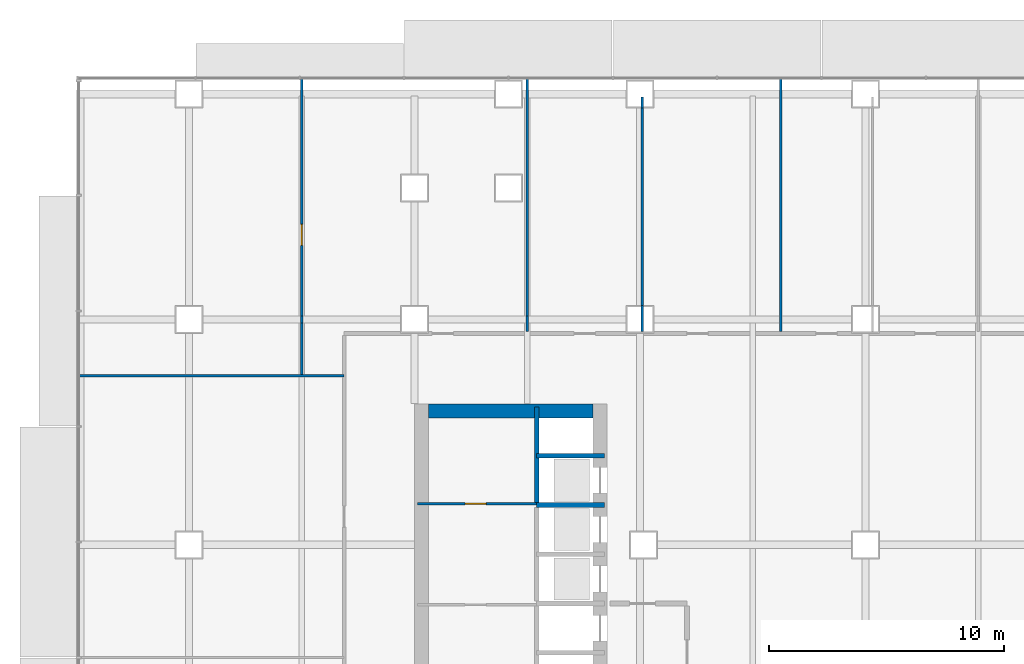
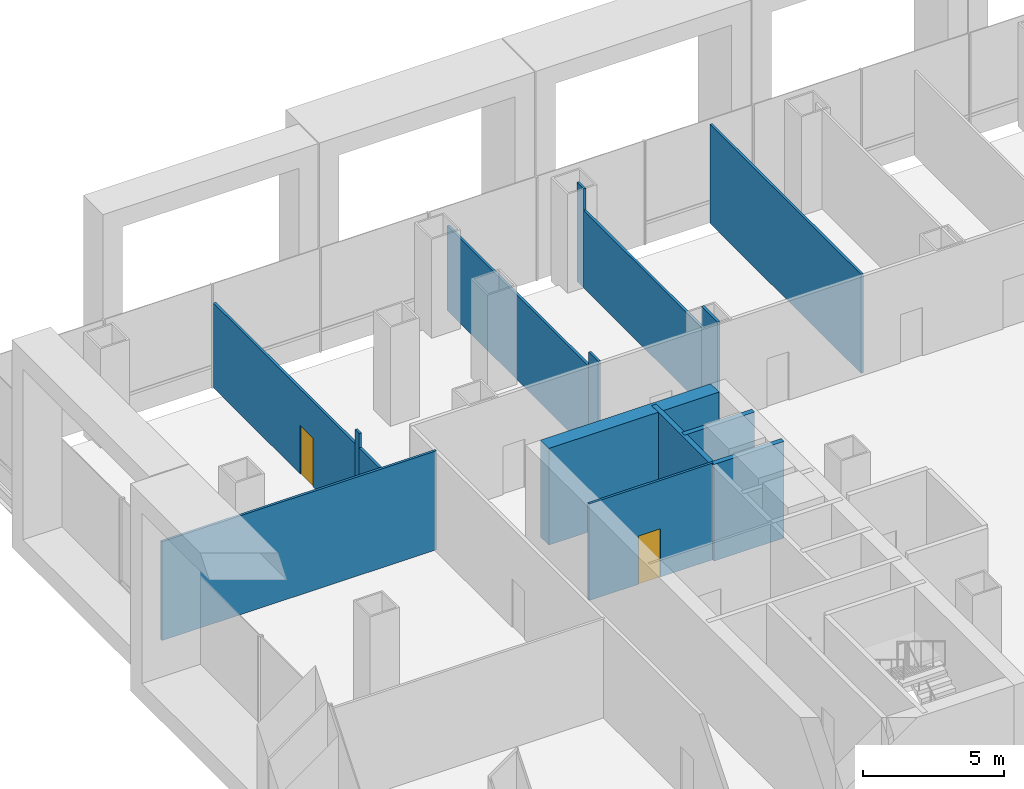
# One storey, part 16 of 23: 15 walls, 2 doors, 2 openings.
"""IFC4 building model written with IfcOpenShell, lengths in metres."""

import ifcopenshell
import ifcopenshell.guid

model = None  # the IFC model being written
_history = None  # IfcOwnerHistory: only IFC2X3 demands one
_inside = {}  # id of a spatial element -> (the spatial element, [elements in it])
_under = {}  # id of a project, library or spatial element -> (it, [spatial elements below it])
_declared = {}  # id of a project -> (the project, [libraries it declares])
_typed = {}  # id of a type object -> (the type object, [elements of that type])
_made_of = {}  # id of a material, layer set ... -> (it, [elements and type objects made of it])


def new_model(schema):
    """Start an empty IFC model of exactly this schema.

    Asked for "IFC4X3", IfcOpenShell would pick the latest addendum, in which some entities
    have other attributes; the version numbers below select the first issue.
    IFC2X3 requires an IfcOwnerHistory on every rooted entity: one is made here for all.
    """
    global model, _history
    if schema == "IFC4X3":
        model = ifcopenshell.file(schema_version=(4, 3, 0, 0))
    else:
        model = ifcopenshell.file(schema=schema)
    _inside.clear()
    _under.clear()
    _declared.clear()
    _typed.clear()
    _made_of.clear()
    _history = None
    if model.schema == "IFC2X3":
        org = make("IfcOrganization", Name="unknown")
        user = make(
            "IfcPersonAndOrganization",
            ThePerson=make("IfcPerson", FamilyName="unknown"),
            TheOrganization=org,
        )
        app = make(
            "IfcApplication",
            ApplicationDeveloper=org,
            Version="unknown",
            ApplicationFullName="unknown",
            ApplicationIdentifier="unknown",
        )
        _history = make(
            "IfcOwnerHistory",
            OwningUser=user,
            OwningApplication=app,
            ChangeAction="ADDED",
            CreationDate=0,
        )
    return model


def make(cls, **values):
    """One entity of the class cls with the attributes given. An attribute that is None is left unset."""
    return model.create_entity(
        cls, **{name: value for name, value in values.items() if value is not None}
    )


def rooted(cls, **values):
    """An entity with a GlobalId (a new one), such as an element, a storey or a relation."""
    return make(cls, GlobalId=ifcopenshell.guid.new(), OwnerHistory=_history, **values)


def si_unit(unit_type, name, prefix=None):
    """IfcSIUnit, for example si_unit("LENGTHUNIT", "METRE", prefix="MILLI")."""
    return make("IfcSIUnit", UnitType=unit_type, Prefix=prefix, Name=name)


def assignment(units):
    """IfcUnitAssignment: the units of a project."""
    return None if units is None else make("IfcUnitAssignment", Units=units)


def point(xyz):
    """IfcCartesianPoint."""
    return None if xyz is None else make("IfcCartesianPoint", Coordinates=xyz)


def direction(xyz):
    """IfcDirection."""
    return None if xyz is None else make("IfcDirection", DirectionRatios=xyz)


def frame(location, z_axis=None, x_axis=None):
    """IfcAxis2Placement3D, a coordinate frame: its origin and axes. An axis left out is left unset."""
    return make(
        "IfcAxis2Placement3D",
        Location=point(location),
        Axis=direction(z_axis),
        RefDirection=direction(x_axis),
    )


def frame_2d(location, x_axis=None):
    """IfcAxis2Placement2D, a coordinate frame in the plane: its origin and x axis."""
    return make(
        "IfcAxis2Placement2D", Location=point(location), RefDirection=direction(x_axis)
    )


def origin():
    """The frame at (0, 0, 0) with its axes left unset."""
    return frame((0.0, 0.0, 0.0))


def place(relative_to, where):
    """IfcLocalPlacement: puts the frame where relative to a parent placement (None: the world)."""
    return make(
        "IfcLocalPlacement", PlacementRelTo=relative_to, RelativePlacement=where
    )


def context(
    kind, dimensions, precision=None, world=None, true_north=None, identifier=None
):
    """IfcGeometricRepresentationContext, for example the 3D "Model" context."""
    return make(
        "IfcGeometricRepresentationContext",
        ContextIdentifier=identifier,
        ContextType=kind,
        CoordinateSpaceDimension=dimensions,
        Precision=precision,
        WorldCoordinateSystem=world,
        TrueNorth=true_north,
    )


def subcontext(parent, identifier, kind, view, scale=None):
    """IfcGeometricRepresentationSubContext, for example "Body" below "Model"."""
    return make(
        "IfcGeometricRepresentationSubContext",
        ContextIdentifier=identifier,
        ContextType=kind,
        ParentContext=parent,
        TargetScale=scale,
        TargetView=view,
    )


def project(units=None, contexts=None):
    """IfcProject with its units and contexts."""
    return rooted(
        "IfcProject",
        Name="project",
        RepresentationContexts=contexts,
        UnitsInContext=assignment(units),
    )


def spatial(cls, under=None, at=None, **own):
    """A site, building, storey or space (cls), placed at a placement, below another one or the project."""
    s = rooted(cls, ObjectPlacement=at, **own)
    if under is not None:
        _under.setdefault(under.id(), (under, []))[1].append(s)
    return s


def profile(cls, at=None, kind="AREA", **sizes):
    """A parametric profile (cls). Its sizes go by their IFC names, for example OverallWidth=200.0."""
    return make(cls, ProfileType=kind, Position=at, **sizes)


def rectangle(**sizes):
    """IfcRectangleProfileDef."""
    return profile("IfcRectangleProfileDef", **sizes)


def extrude(swept, where, along, depth):
    """IfcExtrudedAreaSolid: the profile swept, set in the frame where, extruded along a direction by depth."""
    return make(
        "IfcExtrudedAreaSolid",
        SweptArea=swept,
        Position=where,
        ExtrudedDirection=direction(along),
        Depth=depth,
    )


def shape(context_of_items, identifier, shape_type, items):
    """IfcShapeRepresentation: the items that make up one representation, for example the "Body"."""
    return make(
        "IfcShapeRepresentation",
        ContextOfItems=context_of_items,
        RepresentationIdentifier=identifier,
        RepresentationType=shape_type,
        Items=items,
    )


def material(Name=None, Category=None):
    """IfcMaterial."""
    return make("IfcMaterial", Name=Name, Category=Category)


def layer(
    of_material, thickness, ventilated=None, Name=None, Category=None, Priority=None
):
    """IfcMaterialLayer: one layer of a wall or slab, of a material (None: an air gap)."""
    return make(
        "IfcMaterialLayer",
        Material=of_material,
        LayerThickness=thickness,
        IsVentilated=ventilated,
        Name=Name,
        Category=Category,
        Priority=Priority,
    )


def layer_set(layers, Name=None):
    """IfcMaterialLayerSet."""
    return make("IfcMaterialLayerSet", MaterialLayers=layers, LayerSetName=Name)


def made_of(thing, what):
    """Note that an element or type object is made of a material, layer set ...; save() writes the relation."""
    if what is not None:
        _made_of.setdefault(what.id(), (what, []))[1].append(thing)
    return thing


def type_object(cls, material=None, **own):
    """A type object (cls), such as IfcWallType, which elements share."""
    return made_of(rooted(cls, **own), material)


def element(
    cls,
    number,
    at=None,
    inside=None,
    cuts=None,
    type_object=None,
    material=None,
    context=None,
    identifier="Body",
    shape_type=None,
    held_by="IfcProductDefinitionShape",
    body=None,
    shapes=None,
    **own,
):
    """One element of the class cls, such as IfcWall. Its Tag is "e" and its number.

    at: its placement. inside: the storey or other place that contains it. cuts: it is an
    opening in that element (IfcRelVoidsElement). A single representation is given by context,
    identifier, shape_type and body (its items); several are given by shapes. held_by: the class
    of the entity that holds the representations. save() writes the other relations.
    """
    e = rooted(cls, Tag="e%d" % number, ObjectPlacement=at, **own)
    if body is not None:
        shapes = [shape(context, identifier, shape_type, body)]
    if shapes is not None:
        e.Representation = make(held_by, Representations=shapes)
    if inside is not None:
        _inside.setdefault(inside.id(), (inside, []))[1].append(e)
    if cuts is not None:
        rooted(
            "IfcRelVoidsElement", RelatingBuildingElement=cuts, RelatedOpeningElement=e
        )
    if type_object is not None:
        _typed.setdefault(type_object.id(), (type_object, []))[1].append(e)
    return made_of(e, material)


def fill(opening, filler):
    """IfcRelFillsElement: the door or window that sits in an opening."""
    return rooted(
        "IfcRelFillsElement",
        RelatingOpeningElement=opening,
        RelatedBuildingElement=filler,
    )


def aggregate(whole, parts):
    """IfcRelAggregates: a whole, such as a stair, and the parts it consists of."""
    return rooted("IfcRelAggregates", RelatingObject=whole, RelatedObjects=parts)


def save(model, path):
    """Write the relations noted so far, then the file.

    IfcRelAggregates (storeys below a building ...), IfcRelContainedInSpatialStructure (elements
    in a storey), IfcRelDefinesByType, IfcRelAssociatesMaterial and IfcRelDeclares: one each for
    every whole, place, type object, material and project.
    """
    for whole, parts in _under.values():
        aggregate(whole, parts)
    for where, things in _inside.values():
        rooted(
            "IfcRelContainedInSpatialStructure",
            RelatedElements=things,
            RelatingStructure=where,
        )
    for kind, things in _typed.values():
        rooted("IfcRelDefinesByType", RelatedObjects=things, RelatingType=kind)
    for what, things in _made_of.values():
        rooted("IfcRelAssociatesMaterial", RelatedObjects=things, RelatingMaterial=what)
    for by, libraries in _declared.values():
        rooted("IfcRelDeclares", RelatingContext=by, RelatedDefinitions=libraries)
    model.write(path)


model = new_model("IFC4")

# Units and contexts
model_context = context("Model", 3, precision=1e-05, world=origin(), true_north=direction((0.0, 1.0)))
body_context = subcontext(model_context, "Body", "Model", "MODEL_VIEW")
ifc_project = project(units=[si_unit("LENGTHUNIT", "METRE"), si_unit("AREAUNIT", "SQUARE_METRE"), si_unit("VOLUMEUNIT", "CUBIC_METRE"), si_unit("PLANEANGLEUNIT", "RADIAN"), si_unit("MASSUNIT", "GRAM", prefix="KILO")], contexts=[model_context])

# Site, building, storey
site_placement = place(None, origin())
site = spatial("IfcSite", under=ifc_project, at=site_placement, CompositionType="ELEMENT")
building_placement = place(site_placement, origin())
building = spatial("IfcBuilding", under=site, at=building_placement, Name="Cobrizo Arcos Hotel Tower", CompositionType="ELEMENT")
storey_placement = place(building_placement, frame((0.0, 0.0, 15.5)))
storey = spatial("IfcBuildingStorey", under=building, at=storey_placement, Name="L02", CompositionType="ELEMENT", Elevation=15.5)

# Wall, opening, door
ifc_material_1 = material(Name="Gypsum board partition")
ifc_layer_1 = layer(ifc_material_1, 0.10009765625)
ifc_layer_set_1 = layer_set([ifc_layer_1], Name="Partition EI 30 100")
wall_type_1 = type_object("IfcWallType", Name="Partition EI 30 100", PredefinedType="PARTITIONING", material=ifc_layer_set_1)
wall_1_placement = place(storey_placement, frame((-23.8798828125, 6.550048828125, 0.0), z_axis=(0.0, 0.0, 1.0), x_axis=(1.0, 0.0, 0.0)))
wall_1 = element("IfcWall", 1, at=wall_1_placement, inside=storey, type_object=wall_type_1, Name="Partition 025", PredefinedType="PARTITIONING", context=body_context, shape_type="SweptSolid", body=[
    extrude(rectangle(XDim=5.079833984375, YDim=0.10009765625, at=frame_2d((2.5400390625, 0.0))), origin(), (0.0, 0.0, 1.0), 4.199951171875),
])
opening_1_placement = place(wall_1_placement, frame((2.030029296875, 0.0, 0.0)))
opening_1 = element("IfcOpeningElement", 2, at=opening_1_placement, cuts=wall_1, Name="Opening RD-04", PredefinedType="OPENING", context=body_context, shape_type="SweptSolid", body=[
    extrude(rectangle(XDim=0.89990234375, YDim=2.10009765625, at=frame_2d((0.449951171875, 1.050048828125))), frame((0.0, 0.06201171875, 0.0), z_axis=(0.0, -1.0, 0.0), x_axis=(1.0, 0.0, 0.0)), (0.0, 0.0, 1.0), 0.1240234375),
])
ifc_material_2 = material(Name="Timber door leaf", Category="wood")
door_type = type_object("IfcDoorType", Name="Room door FD30 900x2100", OperationType="SINGLE_SWING_LEFT", PredefinedType="DOOR", material=ifc_material_2)
door_1_placement = place(opening_1_placement, origin())
door_1 = element("IfcDoor", 3, at=door_1_placement, inside=storey, type_object=door_type, Name="Door RD-04", OperationType="SINGLE_SWING_LEFT", OverallHeight=2.10009765625, OverallWidth=0.89990234375, PredefinedType="DOOR", context=body_context, shape_type="SweptSolid", body=[
    extrude(rectangle(XDim=0.89990234375, YDim=2.10009765625, at=frame_2d((0.449951171875, 1.050048828125))), frame((0.0, 0.02490234375, 0.0), z_axis=(0.0, -1.0, 0.0), x_axis=(1.0, 0.0, 0.0)), (0.0, 0.0, 1.0), 0.050048828125),
])
fill(opening_1, door_1)

# Walls
wall_2_placement = place(storey_placement, frame((-38.280029296875, 12.0, 0.0), z_axis=(0.0, 0.0, 1.0), x_axis=(1.0, 0.0, 0.0)))
element("IfcWall", 4, at=wall_2_placement, inside=storey, type_object=wall_type_1, Name="Partition 029", PredefinedType="PARTITIONING", context=body_context, shape_type="SweptSolid", body=[
    extrude(rectangle(XDim=11.280029296875, YDim=0.10009765625, at=frame_2d((5.64013671875, 0.0))), origin(), (0.0, 0.0, 1.0), 4.300048828125),
])
wall_3_placement = place(storey_placement, frame((-28.800048828125, 12.050048828125, 0.0), z_axis=(0.0, 0.0, 1.0), x_axis=(0.0, 1.0, 0.0)))
element("IfcWall", 5, at=wall_3_placement, inside=storey, type_object=wall_type_1, Name="Partition 035", PredefinedType="PARTITIONING", context=body_context, shape_type="SweptSolid", body=[
    extrude(rectangle(XDim=2.196044921875, YDim=0.10009765625, at=frame_2d((1.09814453125, 0.0))), origin(), (0.0, 0.0, 1.0), 3.68310546875),
])
wall_4_placement = place(storey_placement, frame((-28.800048828125, 14.24609375, 0.0), z_axis=(0.0, 0.0, 1.0), x_axis=(0.0, 1.0, 0.0)))
element("IfcWall", 6, at=wall_4_placement, inside=storey, type_object=wall_type_1, Name="Partition 036", PredefinedType="PARTITIONING", context=body_context, shape_type="SweptSolid", body=[
    extrude(rectangle(XDim=0.307861328125, YDim=0.10009765625, at=frame_2d((0.15380859375, 0.0))), origin(), (0.0, 0.0, 1.0), 4.300048828125),
])

# Wall, opening, door
wall_5_placement = place(storey_placement, frame((-28.800048828125, 14.5537109375, 0.0), z_axis=(0.0, 0.0, 1.0), x_axis=(0.0, 1.0, 0.0)))
wall_5 = element("IfcWall", 7, at=wall_5_placement, inside=storey, type_object=wall_type_1, Name="Partition 037", PredefinedType="PARTITIONING", context=body_context, shape_type="SweptSolid", body=[
    extrude(rectangle(XDim=10.076171875, YDim=0.10009765625, at=frame_2d((5.0380859375, 0.0))), origin(), (0.0, 0.0, 1.0), 3.68310546875),
])
opening_2_placement = place(wall_5_placement, frame((2.99609375, 0.0, 0.0)))
opening_2 = element("IfcOpeningElement", 8, at=opening_2_placement, cuts=wall_5, Name="Opening RD-30", PredefinedType="OPENING", context=body_context, shape_type="SweptSolid", body=[
    extrude(rectangle(XDim=0.89990234375, YDim=2.10009765625, at=frame_2d((0.449951171875, 1.050048828125))), frame((0.0, 0.06201171875, 0.0), z_axis=(0.0, -1.0, 0.0), x_axis=(1.0, 0.0, 0.0)), (0.0, 0.0, 1.0), 0.1240234375),
])
door_2_placement = place(opening_2_placement, origin())
door_2 = element("IfcDoor", 9, at=door_2_placement, inside=storey, type_object=door_type, Name="Door RD-30", OperationType="SINGLE_SWING_RIGHT", OverallHeight=2.10009765625, OverallWidth=0.89990234375, PredefinedType="DOOR", context=body_context, shape_type="SweptSolid", body=[
    extrude(rectangle(XDim=0.89990234375, YDim=2.10009765625, at=frame_2d((0.449951171875, 1.050048828125))), frame((0.0, 0.02490234375, 0.0), z_axis=(0.0, -1.0, 0.0), x_axis=(1.0, 0.0, 0.0)), (0.0, 0.0, 1.0), 0.050048828125),
])
fill(opening_2, door_2)

# Walls
wall_6_placement = place(storey_placement, frame((-19.199951171875, 13.875, 0.0), z_axis=(0.0, 0.0, 1.0), x_axis=(0.0, 1.0, 0.0)))
element("IfcWall", 10, at=wall_6_placement, inside=storey, type_object=wall_type_1, Name="Partition 043", PredefinedType="PARTITIONING", context=body_context, shape_type="SweptSolid", body=[
    extrude(rectangle(XDim=0.678955078125, YDim=0.10009765625, at=frame_2d((0.33935546875, 0.0))), origin(), (0.0, 0.0, 1.0), 4.300048828125),
])
wall_7_placement = place(storey_placement, frame((-19.199951171875, 14.5537109375, 0.0), z_axis=(0.0, 0.0, 1.0), x_axis=(0.0, 1.0, 0.0)))
element("IfcWall", 11, at=wall_7_placement, inside=storey, type_object=wall_type_1, Name="Partition 044", PredefinedType="PARTITIONING", context=body_context, shape_type="SweptSolid", body=[
    extrude(rectangle(XDim=10.076171875, YDim=0.10009765625, at=frame_2d((5.0380859375, 0.0))), origin(), (0.0, 0.0, 1.0), 3.68310546875),
])
wall_8_placement = place(storey_placement, frame((-14.300048828125, 13.875, 0.0), z_axis=(0.0, 0.0, 1.0), x_axis=(0.0, 1.0, 0.0)))
element("IfcWall", 12, at=wall_8_placement, inside=storey, type_object=wall_type_1, Name="Partition 048", PredefinedType="PARTITIONING", context=body_context, shape_type="SweptSolid", body=[
    extrude(rectangle(XDim=1.125, YDim=0.10009765625, at=frame_2d((0.5625, 0.0))), origin(), (0.0, 0.0, 1.0), 4.300048828125),
])
wall_9_placement = place(storey_placement, frame((-14.300048828125, 15.0, 0.0), z_axis=(0.0, 0.0, 1.0), x_axis=(0.0, 1.0, 0.0)))
element("IfcWall", 13, at=wall_9_placement, inside=storey, type_object=wall_type_1, Name="Partition 049", PredefinedType="PARTITIONING", context=body_context, shape_type="SweptSolid", body=[
    extrude(rectangle(XDim=8.39990234375, YDim=0.10009765625, at=frame_2d((4.199951171875, 0.0))), origin(), (0.0, 0.0, 1.0), 3.373046875),
])
wall_10_placement = place(storey_placement, frame((-14.300048828125, 23.39990234375, 0.0), z_axis=(0.0, 0.0, 1.0), x_axis=(0.0, 1.0, 0.0)))
element("IfcWall", 14, at=wall_10_placement, inside=storey, type_object=wall_type_1, Name="Partition 050", PredefinedType="PARTITIONING", context=body_context, shape_type="SweptSolid", body=[
    extrude(rectangle(XDim=0.47998046875, YDim=0.10009765625, at=frame_2d((0.239990234375, 0.0))), origin(), (0.0, 0.0, 1.0), 4.300048828125),
])
wall_11_placement = place(storey_placement, frame((-8.39990234375, 13.875, 0.0), z_axis=(0.0, 0.0, 1.0), x_axis=(0.0, 1.0, 0.0)))
element("IfcWall", 15, at=wall_11_placement, inside=storey, type_object=wall_type_1, Name="Partition 052", PredefinedType="PARTITIONING", context=body_context, shape_type="SweptSolid", body=[
    extrude(rectangle(XDim=10.7548828125, YDim=0.10009765625, at=frame_2d((5.37744140625, 0.0))), origin(), (0.0, 0.0, 1.0), 4.300048828125),
])
ifc_material_3 = material(Name="Concrete f'c 60 MPa", Category="concrete")
ifc_layer_2 = layer(ifc_material_3, 0.60009765625)
ifc_layer_set_2 = layer_set([ifc_layer_2], Name="RC core wall 600 f'c 60")
wall_type_2 = type_object("IfcWallType", Name="RC core wall 600 f'c 60", PredefinedType="SHEAR", material=ifc_layer_set_2)
wall_12_placement = place(storey_placement, frame((-23.39990234375, 10.5, 0.0), z_axis=(0.0, 0.0, 1.0), x_axis=(1.0, 0.0, 0.0)))
element("IfcWall", 16, at=wall_12_placement, inside=storey, type_object=wall_type_2, Name="Core wall CW1, west core, north end, L02", PredefinedType="SHEAR", context=body_context, shape_type="SweptSolid", body=[
    extrude(rectangle(XDim=7.0, YDim=0.60009765625, at=frame_2d((3.5, 0.0))), origin(), (0.0, 0.0, 1.0), 4.199951171875),
])
ifc_layer_3 = layer(ifc_material_1, 0.199951171875)
ifc_layer_set_3 = layer_set([ifc_layer_3], Name="Shaft wall EI 120 200")
wall_type_3 = type_object("IfcWallType", Name="Shaft wall EI 120 200", PredefinedType="PARTITIONING", material=ifc_layer_set_3)
for number, where, z_axis, x_axis, name in (
    (17, (-18.800048828125, 6.5, 0.0), (0.0, 0.0, 1.0), (1.0, 0.0, 0.0), "Partition 023"),
    (18, (-18.800048828125, 8.60009765625, 0.0), (0.0, 0.0, 1.0), (1.0, 0.0, 0.0), "Partition 027"),
):
    element("IfcWall", number, at=place(storey_placement, frame(where, z_axis=z_axis, x_axis=x_axis)), inside=storey, type_object=wall_type_3, Name=name, PredefinedType="PARTITIONING", context=body_context, shape_type="SweptSolid", body=[
        extrude(rectangle(XDim=2.880126953125, YDim=0.199951171875, at=frame_2d((1.43994140625, 0.0))), origin(), (0.0, 0.0, 1.0), 4.199951171875),
    ])
wall_13_placement = place(storey_placement, frame((-18.800048828125, 6.60009765625, 0.0), z_axis=(0.0, 0.0, 1.0), x_axis=(0.0, 1.0, 0.0)))
element("IfcWall", 19, at=wall_13_placement, inside=storey, type_object=wall_type_3, Name="Partition 047", PredefinedType="PARTITIONING", context=body_context, shape_type="SweptSolid", body=[
    extrude(rectangle(XDim=4.079833984375, YDim=0.199951171875, at=frame_2d((2.0400390625, 0.0))), origin(), (0.0, 0.0, 1.0), 4.199951171875),
])

save(model, "model.ifc")
